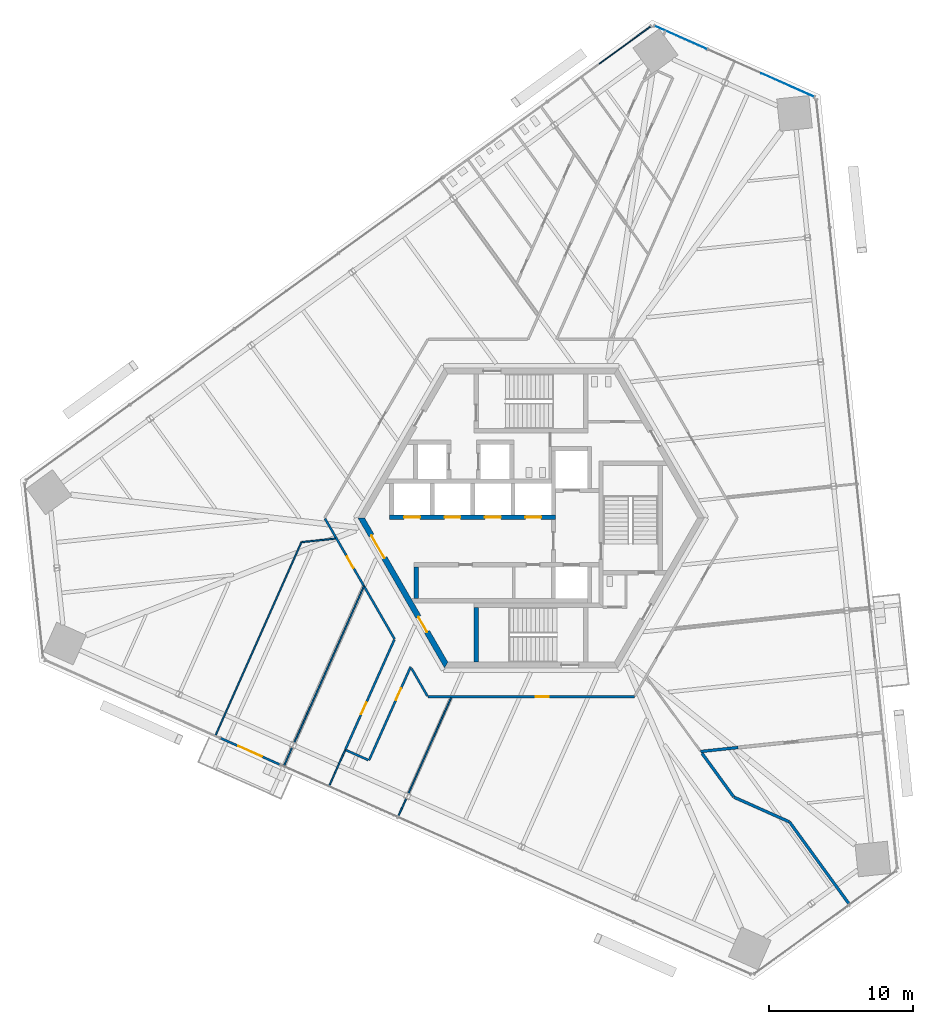
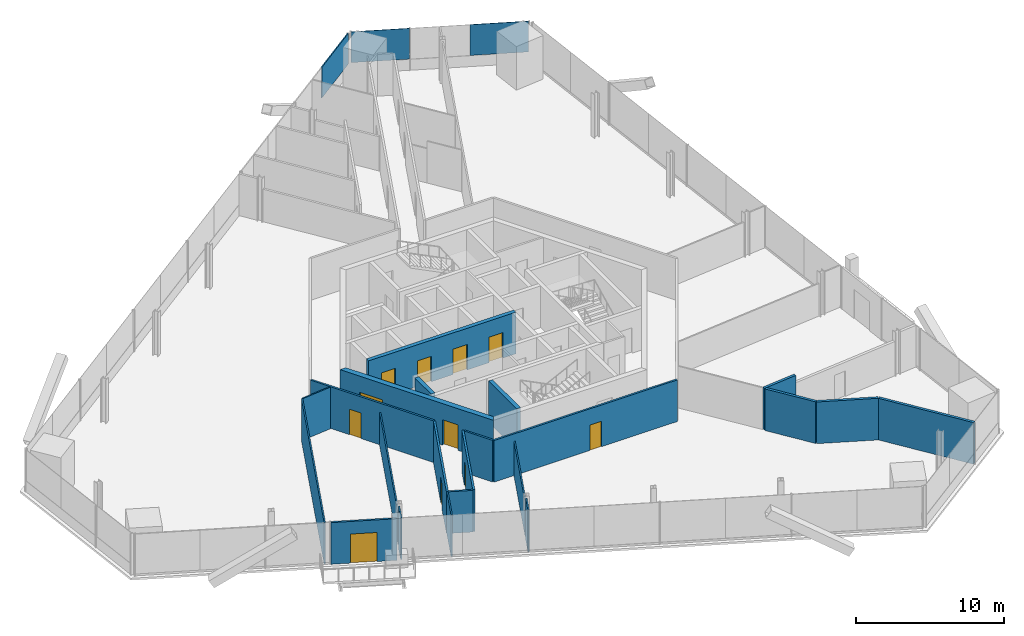
# One storey, part 10 of 17: 22 walls, 11 doors, 3 plates, 11 openings, 2 elements without a shape of their own.
"""IFC4 building model written with IfcOpenShell, lengths in metres."""

import ifcopenshell
import ifcopenshell.guid

model = None  # the IFC model being written
_history = None  # IfcOwnerHistory: only IFC2X3 demands one
_inside = {}  # id of a spatial element -> (the spatial element, [elements in it])
_under = {}  # id of a project, library or spatial element -> (it, [spatial elements below it])
_declared = {}  # id of a project -> (the project, [libraries it declares])
_typed = {}  # id of a type object -> (the type object, [elements of that type])
_made_of = {}  # id of a material, layer set ... -> (it, [elements and type objects made of it])


def new_model(schema):
    """Start an empty IFC model of exactly this schema.

    Asked for "IFC4X3", IfcOpenShell would pick the latest addendum, in which some entities
    have other attributes; the version numbers below select the first issue.
    IFC2X3 requires an IfcOwnerHistory on every rooted entity: one is made here for all.
    """
    global model, _history
    if schema == "IFC4X3":
        model = ifcopenshell.file(schema_version=(4, 3, 0, 0))
    else:
        model = ifcopenshell.file(schema=schema)
    _inside.clear()
    _under.clear()
    _declared.clear()
    _typed.clear()
    _made_of.clear()
    _history = None
    if model.schema == "IFC2X3":
        org = make("IfcOrganization", Name="unknown")
        user = make(
            "IfcPersonAndOrganization",
            ThePerson=make("IfcPerson", FamilyName="unknown"),
            TheOrganization=org,
        )
        app = make(
            "IfcApplication",
            ApplicationDeveloper=org,
            Version="unknown",
            ApplicationFullName="unknown",
            ApplicationIdentifier="unknown",
        )
        _history = make(
            "IfcOwnerHistory",
            OwningUser=user,
            OwningApplication=app,
            ChangeAction="ADDED",
            CreationDate=0,
        )
    return model


def make(cls, **values):
    """One entity of the class cls with the attributes given. An attribute that is None is left unset."""
    return model.create_entity(
        cls, **{name: value for name, value in values.items() if value is not None}
    )


def rooted(cls, **values):
    """An entity with a GlobalId (a new one), such as an element, a storey or a relation."""
    return make(cls, GlobalId=ifcopenshell.guid.new(), OwnerHistory=_history, **values)


def si_unit(unit_type, name, prefix=None):
    """IfcSIUnit, for example si_unit("LENGTHUNIT", "METRE", prefix="MILLI")."""
    return make("IfcSIUnit", UnitType=unit_type, Prefix=prefix, Name=name)


def assignment(units):
    """IfcUnitAssignment: the units of a project."""
    return None if units is None else make("IfcUnitAssignment", Units=units)


def point(xyz):
    """IfcCartesianPoint."""
    return None if xyz is None else make("IfcCartesianPoint", Coordinates=xyz)


def direction(xyz):
    """IfcDirection."""
    return None if xyz is None else make("IfcDirection", DirectionRatios=xyz)


def frame(location, z_axis=None, x_axis=None):
    """IfcAxis2Placement3D, a coordinate frame: its origin and axes. An axis left out is left unset."""
    return make(
        "IfcAxis2Placement3D",
        Location=point(location),
        Axis=direction(z_axis),
        RefDirection=direction(x_axis),
    )


def frame_2d(location, x_axis=None):
    """IfcAxis2Placement2D, a coordinate frame in the plane: its origin and x axis."""
    return make(
        "IfcAxis2Placement2D", Location=point(location), RefDirection=direction(x_axis)
    )


def origin():
    """The frame at (0, 0, 0) with its axes left unset."""
    return frame((0.0, 0.0, 0.0))


def origin_2d():
    """The frame at (0, 0) in the plane with its x axis left unset."""
    return frame_2d((0.0, 0.0))


def place(relative_to, where):
    """IfcLocalPlacement: puts the frame where relative to a parent placement (None: the world)."""
    return make(
        "IfcLocalPlacement", PlacementRelTo=relative_to, RelativePlacement=where
    )


def context(
    kind, dimensions, precision=None, world=None, true_north=None, identifier=None
):
    """IfcGeometricRepresentationContext, for example the 3D "Model" context."""
    return make(
        "IfcGeometricRepresentationContext",
        ContextIdentifier=identifier,
        ContextType=kind,
        CoordinateSpaceDimension=dimensions,
        Precision=precision,
        WorldCoordinateSystem=world,
        TrueNorth=true_north,
    )


def subcontext(parent, identifier, kind, view, scale=None):
    """IfcGeometricRepresentationSubContext, for example "Body" below "Model"."""
    return make(
        "IfcGeometricRepresentationSubContext",
        ContextIdentifier=identifier,
        ContextType=kind,
        ParentContext=parent,
        TargetScale=scale,
        TargetView=view,
    )


def project(units=None, contexts=None):
    """IfcProject with its units and contexts."""
    return rooted(
        "IfcProject",
        Name="project",
        RepresentationContexts=contexts,
        UnitsInContext=assignment(units),
    )


def spatial(cls, under=None, at=None, **own):
    """A site, building, storey or space (cls), placed at a placement, below another one or the project."""
    s = rooted(cls, ObjectPlacement=at, **own)
    if under is not None:
        _under.setdefault(under.id(), (under, []))[1].append(s)
    return s


def polyline(points):
    """IfcPolyline through the points."""
    return make("IfcPolyline", Points=[point(p) for p in points])


def profile(cls, at=None, kind="AREA", **sizes):
    """A parametric profile (cls). Its sizes go by their IFC names, for example OverallWidth=200.0."""
    return make(cls, ProfileType=kind, Position=at, **sizes)


def rectangle(**sizes):
    """IfcRectangleProfileDef."""
    return profile("IfcRectangleProfileDef", **sizes)


def outline(outer, holes=None, kind="AREA"):
    """IfcArbitraryClosedProfileDef: a profile drawn as a closed curve; with holes, ...WithVoids."""
    if holes is None:
        return make("IfcArbitraryClosedProfileDef", ProfileType=kind, OuterCurve=outer)
    return make(
        "IfcArbitraryProfileDefWithVoids",
        ProfileType=kind,
        OuterCurve=outer,
        InnerCurves=holes,
    )


def extrude(swept, where, along, depth):
    """IfcExtrudedAreaSolid: the profile swept, set in the frame where, extruded along a direction by depth."""
    return make(
        "IfcExtrudedAreaSolid",
        SweptArea=swept,
        Position=where,
        ExtrudedDirection=direction(along),
        Depth=depth,
    )


def shape(context_of_items, identifier, shape_type, items):
    """IfcShapeRepresentation: the items that make up one representation, for example the "Body"."""
    return make(
        "IfcShapeRepresentation",
        ContextOfItems=context_of_items,
        RepresentationIdentifier=identifier,
        RepresentationType=shape_type,
        Items=items,
    )


def source(mapping_origin, context_of_items, identifier, shape_type, items):
    """IfcRepresentationMap: a shape defined once, which mapped items show again and again."""
    return make(
        "IfcRepresentationMap",
        MappingOrigin=mapping_origin,
        MappedRepresentation=shape(context_of_items, identifier, shape_type, items),
    )


def transform(
    local_origin,
    x_axis=None,
    y_axis=None,
    z_axis=None,
    scale=None,
    scale2=None,
    scale3=None,
    uniform=True,
):
    """IfcCartesianTransformationOperator3D, or its non-uniform kind. x_axis, y_axis, z_axis: its Axis1, 2, 3."""
    if uniform:
        return make(
            "IfcCartesianTransformationOperator3D",
            Axis1=direction(x_axis),
            Axis2=direction(y_axis),
            LocalOrigin=point(local_origin),
            Scale=scale,
            Axis3=direction(z_axis),
        )
    return make(
        "IfcCartesianTransformationOperator3DnonUniform",
        Axis1=direction(x_axis),
        Axis2=direction(y_axis),
        LocalOrigin=point(local_origin),
        Scale=scale,
        Axis3=direction(z_axis),
        Scale2=scale2,
        Scale3=scale3,
    )


def mapped(mapping_source, mapping_target):
    """IfcMappedItem: shows the shape of a source again, moved by a transform."""
    return make(
        "IfcMappedItem", MappingSource=mapping_source, MappingTarget=mapping_target
    )


def material(Name=None, Category=None):
    """IfcMaterial."""
    return make("IfcMaterial", Name=Name, Category=Category)


def layer(
    of_material, thickness, ventilated=None, Name=None, Category=None, Priority=None
):
    """IfcMaterialLayer: one layer of a wall or slab, of a material (None: an air gap)."""
    return make(
        "IfcMaterialLayer",
        Material=of_material,
        LayerThickness=thickness,
        IsVentilated=ventilated,
        Name=Name,
        Category=Category,
        Priority=Priority,
    )


def layer_set(layers, Name=None):
    """IfcMaterialLayerSet."""
    return make("IfcMaterialLayerSet", MaterialLayers=layers, LayerSetName=Name)


def made_of(thing, what):
    """Note that an element or type object is made of a material, layer set ...; save() writes the relation."""
    if what is not None:
        _made_of.setdefault(what.id(), (what, []))[1].append(thing)
    return thing


def type_object(cls, material=None, **own):
    """A type object (cls), such as IfcWallType, which elements share."""
    return made_of(rooted(cls, **own), material)


def element(
    cls,
    number,
    at=None,
    inside=None,
    cuts=None,
    type_object=None,
    material=None,
    context=None,
    identifier="Body",
    shape_type=None,
    held_by="IfcProductDefinitionShape",
    body=None,
    shapes=None,
    **own,
):
    """One element of the class cls, such as IfcWall. Its Tag is "e" and its number.

    at: its placement. inside: the storey or other place that contains it. cuts: it is an
    opening in that element (IfcRelVoidsElement). A single representation is given by context,
    identifier, shape_type and body (its items); several are given by shapes. held_by: the class
    of the entity that holds the representations. save() writes the other relations.
    """
    e = rooted(cls, Tag="e%d" % number, ObjectPlacement=at, **own)
    if body is not None:
        shapes = [shape(context, identifier, shape_type, body)]
    if shapes is not None:
        e.Representation = make(held_by, Representations=shapes)
    if inside is not None:
        _inside.setdefault(inside.id(), (inside, []))[1].append(e)
    if cuts is not None:
        rooted(
            "IfcRelVoidsElement", RelatingBuildingElement=cuts, RelatedOpeningElement=e
        )
    if type_object is not None:
        _typed.setdefault(type_object.id(), (type_object, []))[1].append(e)
    return made_of(e, material)


def fill(opening, filler):
    """IfcRelFillsElement: the door or window that sits in an opening."""
    return rooted(
        "IfcRelFillsElement",
        RelatingOpeningElement=opening,
        RelatedBuildingElement=filler,
    )


def aggregate(whole, parts):
    """IfcRelAggregates: a whole, such as a stair, and the parts it consists of."""
    return rooted("IfcRelAggregates", RelatingObject=whole, RelatedObjects=parts)


def save(model, path):
    """Write the relations noted so far, then the file.

    IfcRelAggregates (storeys below a building ...), IfcRelContainedInSpatialStructure (elements
    in a storey), IfcRelDefinesByType, IfcRelAssociatesMaterial and IfcRelDeclares: one each for
    every whole, place, type object, material and project.
    """
    for whole, parts in _under.values():
        aggregate(whole, parts)
    for where, things in _inside.values():
        rooted(
            "IfcRelContainedInSpatialStructure",
            RelatedElements=things,
            RelatingStructure=where,
        )
    for kind, things in _typed.values():
        rooted("IfcRelDefinesByType", RelatedObjects=things, RelatingType=kind)
    for what, things in _made_of.values():
        rooted("IfcRelAssociatesMaterial", RelatedObjects=things, RelatingMaterial=what)
    for by, libraries in _declared.values():
        rooted("IfcRelDeclares", RelatingContext=by, RelatedDefinitions=libraries)
    model.write(path)


model = new_model("IFC4")

# Units and contexts
model_context = context("Model", 3, precision=1e-05, world=origin(), true_north=direction((0.0, 1.0)))
body_context = subcontext(model_context, "Body", "Model", "MODEL_VIEW")
ifc_project = project(units=[si_unit("LENGTHUNIT", "METRE"), si_unit("AREAUNIT", "SQUARE_METRE"), si_unit("VOLUMEUNIT", "CUBIC_METRE"), si_unit("PLANEANGLEUNIT", "RADIAN"), si_unit("MASSUNIT", "GRAM", prefix="KILO")], contexts=[model_context])

# Site, building, storey
site_placement = place(None, origin())
site = spatial("IfcSite", under=ifc_project, at=site_placement, CompositionType="ELEMENT")
building_placement = place(site_placement, origin())
building = spatial("IfcBuilding", under=site, at=building_placement, Name="Triune Harvest Tower", CompositionType="ELEMENT")
storey_placement = place(building_placement, frame((0.0, 0.0, 62.10009765625)))
storey = spatial("IfcBuildingStorey", under=building, at=storey_placement, Name="L14", CompositionType="ELEMENT", Elevation=62.10009765625)

# Curtain wall, plates
ifc_material_1 = material(Name="Aluminium bronze anodised", Category="aluminium")
curtain_wall_type_1 = type_object("IfcCurtainWallType", Name="CW-1 Tower stick curtain wall", PredefinedType="NOTDEFINED", material=ifc_material_1)
curtain_wall_1_placement = place(storey_placement, origin())
curtain_wall_1 = element("IfcCurtainWall", 1, at=curtain_wall_1_placement, inside=storey, type_object=curtain_wall_type_1, Name="CW-1 B2-F2 L14 run 1")
ifc_material_2 = material(Name="Glass", Category="glass")
ifc_layer_1 = layer(ifc_material_2, 0.031982421875)
ifc_layer_set_1 = layer_set([ifc_layer_1], Name="Glass")
plate_type_1 = type_object("IfcPlateType", Name="GL-1 panel 32", PredefinedType="CURTAIN_PANEL", material=ifc_layer_set_1)
shared_shape_1 = source(origin(), body_context, "Body", "SweptSolid", [
    extrude(rectangle(XDim=3.99853515625, YDim=0.031982421875, at=origin_2d()), origin(), (0.0, 0.0, 1.0), 2.5400390625),
])
plate_1_placement = place(storey_placement, frame((17.783203125, 30.018798828125, 0.89990234375), z_axis=(0.0, 0.0, 1.0), x_axis=(-0.913546644034, 0.406733978386, 0.0)))
plate_1 = element("IfcPlate", 2, at=plate_1_placement, type_object=plate_type_1, Name="CW-1 panel B2-F2 1.1", PredefinedType="CURTAIN_PANEL", context=body_context, shape_type="MappedRepresentation", body=[
    mapped(shared_shape_1, transform((0.0, 0.0, 0.0), scale=1.0)),
])
shared_shape_2 = source(origin(), body_context, "Body", "SweptSolid", [
    extrude(rectangle(XDim=3.9609375, YDim=0.031982421875, at=origin_2d()), origin(), (0.0, 0.0, 1.0), 2.5400390625),
])
plate_2_placement = place(storey_placement, frame((10.39208984375, 33.3095703125, 0.89990234375), z_axis=(0.0, 0.0, 1.0), x_axis=(-0.913546644034, 0.406733978386, 0.0)))
plate_2 = element("IfcPlate", 3, at=plate_2_placement, type_object=plate_type_1, Name="CW-1 panel B2-F2 1.3", PredefinedType="CURTAIN_PANEL", context=body_context, shape_type="MappedRepresentation", body=[
    mapped(shared_shape_2, transform((0.0, 0.0, 0.0), scale=1.0)),
])
aggregate(curtain_wall_1, [plate_1, plate_2])

# Curtain wall, plate
ifc_material_3 = material(Name="Aluminium bronze anodised", Category="aluminium")
curtain_wall_type_2 = type_object("IfcCurtainWallType", Name="CW-7 Tower stick curtain wall with insulated spandrel infill", PredefinedType="NOTDEFINED", material=ifc_material_3)
curtain_wall_2_placement = place(storey_placement, origin())
curtain_wall_2 = element("IfcCurtainWall", 4, at=curtain_wall_2_placement, inside=storey, type_object=curtain_wall_type_2, Name="CW-7 B2-F3 L14 run 1")
ifc_material_4 = material(Name="Insulated spandrel panel, bronze aluminium pan", Category="aluminium")
ifc_layer_2 = layer(ifc_material_4, 0.080078125)
ifc_layer_set_2 = layer_set([ifc_layer_2], Name="Insulated spandrel panel, bronze aluminium pan")
plate_type_2 = type_object("IfcPlateType", Name="SP-1 insulated spandrel panel 80", PredefinedType="CURTAIN_PANEL", material=ifc_layer_set_2)
shared_shape_3 = source(origin(), body_context, "Body", "SweptSolid", [
    extrude(rectangle(XDim=4.3955078125, YDim=0.080078125, at=origin_2d()), origin(), (0.0, 0.0, 1.0), 2.5400390625),
])
plate_3_placement = place(storey_placement, frame((6.5205078125, 32.79345703125, 0.89990234375), z_axis=(0.0, 0.0, 1.0), x_axis=(-0.809018475536, -0.587783213644, 0.0)))
plate_3 = element("IfcPlate", 5, at=plate_3_placement, type_object=plate_type_2, Name="CW-7 panel B2-F3 1.1", PredefinedType="CURTAIN_PANEL", context=body_context, shape_type="MappedRepresentation", body=[
    mapped(shared_shape_3, transform((0.0, 0.0, 0.0), scale=1.0)),
])
aggregate(curtain_wall_2, [plate_3])

# Walls
ifc_material_5 = material(Name="Gypsum board on steel studs", Category="steel")
ifc_layer_3 = layer(ifc_material_5, 0.199951171875)
ifc_layer_set_3 = layer_set([ifc_layer_3], Name="Gypsum board on steel studs")
wall_type_1 = type_object("IfcWallType", Name="Fire Wall 200 mm", PredefinedType="PARTITIONING", material=ifc_layer_set_3)
wall_1_placement = place(storey_placement, frame((17.912353515625, -21.065673828125, 0.0), z_axis=(0.0, 0.0, 1.0), x_axis=(0.587780323466, -0.809020575354, 0.0)))
element("IfcWall", 6, at=wall_1_placement, inside=storey, type_object=wall_type_1, Name="Partition L14 006", PredefinedType="PARTITIONING", context=body_context, shape_type="SweptSolid", body=[
    extrude(rectangle(XDim=7.085693359375, YDim=0.199951171875, at=frame_2d((3.54296875, 0.0))), origin(), (0.0, 0.0, 1.0), 3.43994140625),
])
wall_2_placement = place(storey_placement, frame((14.05859375, -19.349853515625, 0.0), z_axis=(0.0, 0.0, 1.0), x_axis=(0.913546956055, -0.40673327757, 0.0)))
element("IfcWall", 7, at=wall_2_placement, inside=storey, type_object=wall_type_1, Name="Partition L14 017", PredefinedType="PARTITIONING", context=body_context, shape_type="SweptSolid", body=[
    extrude(rectangle(XDim=4.1884765625, YDim=0.199951171875, at=frame_2d((2.09423828125, 0.0))), origin(), (0.0, 0.0, 1.0), 3.43994140625),
])
ifc_material_6 = material(Name="Gypsum board on steel studs", Category="steel")
ifc_layer_4 = layer(ifc_material_6, 0.10009765625)
ifc_layer_set_4 = layer_set([ifc_layer_4], Name="Gypsum board on steel studs")
wall_type_2 = type_object("IfcWallType", Name="Partition 100 mm", PredefinedType="PARTITIONING", material=ifc_layer_set_4)
wall_3_placement = place(storey_placement, frame((-15.89599609375, -1.670654296875, 0.0), z_axis=(0.0, 0.0, 1.0), x_axis=(0.994524314747, 0.10450544185, 0.0)))
element("IfcWall", 8, at=wall_3_placement, inside=storey, type_object=wall_type_2, Name="Partition L14 026", PredefinedType="PARTITIONING", context=body_context, shape_type="SweptSolid", body=[
    extrude(rectangle(XDim=2.33837890625, YDim=0.10009765625, at=frame_2d((1.169189453125, 0.0))), origin(), (0.0, 0.0, 1.0), 3.43994140625),
])
wall_4_placement = place(storey_placement, frame((-16.41650390625, -15.5751953125, 0.0), z_axis=(0.0, 0.0, 1.0), x_axis=(0.406746552883, 0.913541045448, 0.0)))
element("IfcWall", 9, at=wall_4_placement, inside=storey, type_object=wall_type_2, Name="Partition L14 045", PredefinedType="PARTITIONING", context=body_context, shape_type="SweptSolid", body=[
    extrude(rectangle(XDim=11.881591796875, YDim=0.10009765625, at=frame_2d((5.94091796875, 0.0))), origin(), (0.0, 0.0, 1.0), 2.682861328125),
])
wall_5_placement = place(storey_placement, frame((-21.893310546875, -15.098388671875, 0.0), z_axis=(0.0, 0.0, 1.0), x_axis=(0.406728731575, 0.913548980029, 0.0)))
element("IfcWall", 10, at=wall_5_placement, inside=storey, type_object=wall_type_2, Name="Partition L14 046", PredefinedType="PARTITIONING", context=body_context, shape_type="SweptSolid", body=[
    extrude(rectangle(XDim=14.696044921875, YDim=0.10009765625, at=frame_2d((7.34814453125, 0.0))), origin(), (0.0, 0.0, 1.0), 3.43994140625),
])

# Wall, openings, doors
ifc_material_7 = material(Name="Concrete 70 MPa", Category="concrete")
ifc_layer_5 = layer(ifc_material_7, 0.39990234375)
ifc_layer_set_5 = layer_set([ifc_layer_5], Name="Concrete 70 MPa")
wall_type_3 = type_object("IfcWallType", Name="Core wall 400", PredefinedType="SHEAR", material=ifc_layer_set_5)
shared_shape_4 = source(origin(), body_context, "Body", "SweptSolid", [
    extrude(outline(polyline([(-0.115478515625, -0.199951171875), (11.884521484375, -0.199951171875), (11.653564453125, 0.199951171875), (0.115478515625, 0.199951171875), (-0.115478515625, -0.199951171875)])), origin(), (0.0, 0.0, 1.0), 3.43994140625),
])
wall_6_placement = place(storey_placement, frame((-11.76904296875, 0.0, 0.0), z_axis=(0.0, 0.0, 1.0), x_axis=(0.499996592174, -0.866027371285, 0.0)))
wall_6 = element("IfcWall", 11, at=wall_6_placement, inside=storey, type_object=wall_type_3, Name="Hexagon 3 wall", PredefinedType="SHEAR", context=body_context, shape_type="MappedRepresentation", body=[
    mapped(shared_shape_4, transform((0.0, 0.0, 0.0), scale=1.0)),
])
opening_1_placement = place(wall_6_placement, frame((1.404541015625, 0.0, 0.0)))
opening_1 = element("IfcOpeningElement", 12, at=opening_1_placement, cuts=wall_6, Name="Opening CD-LS", PredefinedType="OPENING", context=body_context, shape_type="SweptSolid", body=[
    extrude(rectangle(XDim=1.800048828125, YDim=2.10009765625, at=frame_2d((0.89990234375, 1.050048828125))), frame((0.0, 0.2099609375, 0.0), z_axis=(0.0, -1.0, 0.0), x_axis=(1.0, 0.0, 0.0)), (0.0, 0.0, 1.0), 0.419921875),
])
opening_2_placement = place(wall_6_placement, frame((7.91455078125, 0.0, 0.0)))
opening_2 = element("IfcOpeningElement", 13, at=opening_2_placement, cuts=wall_6, Name="Opening CD-SWP", PredefinedType="OPENING", context=body_context, shape_type="SweptSolid", body=[
    extrude(rectangle(XDim=1.199951171875, YDim=2.10009765625, at=frame_2d((0.60009765625, 1.050048828125))), frame((0.0, 0.2099609375, 0.0), z_axis=(0.0, -1.0, 0.0), x_axis=(1.0, 0.0, 0.0)), (0.0, 0.0, 1.0), 0.419921875),
])
ifc_material_8 = material(Name="Steel S235", Category="steel")
door_type_1 = type_object("IfcDoorType", Name="Lobby door 1800 FD120", OperationType="DOUBLE_DOOR_DOUBLE_SWING", PredefinedType="DOOR", material=ifc_material_8)
door_1_placement = place(opening_1_placement, frame((1.800048828125, 0.0, 0.0), z_axis=(0.0, 0.0, 1.0), x_axis=(-1.0, 0.0, 0.0)))
door_1 = element("IfcDoor", 14, at=door_1_placement, inside=storey, type_object=door_type_1, Name="Door CD-LS", OperationType="DOUBLE_DOOR_DOUBLE_SWING", OverallHeight=2.10009765625, OverallWidth=1.800048828125, PredefinedType="DOOR", context=body_context, shape_type="SweptSolid", body=[
    extrude(rectangle(XDim=1.800048828125, YDim=2.10009765625, at=frame_2d((0.89990234375, 1.050048828125))), frame((0.0, 0.02490234375, 0.0), z_axis=(0.0, -1.0, 0.0), x_axis=(1.0, 0.0, 0.0)), (0.0, 0.0, 1.0), 0.050048828125),
])
fill(opening_1, door_1)
ifc_material_9 = material(Name="Steel S235", Category="steel")
door_type_2 = type_object("IfcDoorType", Name="Service door 1200 FD120", OperationType="SINGLE_SWING_LEFT", PredefinedType="DOOR", material=ifc_material_9)
door_2_placement = place(opening_2_placement, frame((1.199951171875, 0.0, 0.0), z_axis=(0.0, 0.0, 1.0), x_axis=(-1.0, 0.0, 0.0)))
door_2 = element("IfcDoor", 15, at=door_2_placement, inside=storey, type_object=door_type_2, Name="Door CD-SWP", OperationType="SINGLE_SWING_RIGHT", OverallHeight=2.10009765625, OverallWidth=1.199951171875, PredefinedType="DOOR", context=body_context, shape_type="SweptSolid", body=[
    extrude(rectangle(XDim=1.199951171875, YDim=2.10009765625, at=frame_2d((0.60009765625, 1.050048828125))), frame((0.0, 0.02490234375, 0.0), z_axis=(0.0, -1.0, 0.0), x_axis=(1.0, 0.0, 0.0)), (0.0, 0.0, 1.0), 0.050048828125),
])
fill(opening_2, door_2)

ifc_material_10 = material(Name="Concrete 70 MPa", Category="concrete")
ifc_layer_6 = layer(ifc_material_10, 0.300048828125)
ifc_layer_set_6 = layer_set([ifc_layer_6], Name="Concrete 70 MPa")
wall_type_4 = type_object("IfcWallType", Name="Core wall 300", PredefinedType="SHEAR", material=ifc_layer_set_6)
shared_shape_5 = source(origin(), body_context, "Body", "SweptSolid", [
    extrude(rectangle(XDim=11.5, YDim=0.300048828125, at=frame_2d((5.75, 0.0))), origin(), (0.0, 0.0, 1.0), 3.43994140625),
])
wall_7_placement = place(storey_placement, frame((-9.800048828125, 0.06005859375, 0.0), z_axis=(0.0, 0.0, 1.0), x_axis=(1.0, 0.0, 0.0)))
wall_7 = element("IfcWall", 16, at=wall_7_placement, inside=storey, type_object=wall_type_4, Name="North front wall", PredefinedType="SHEAR", context=body_context, shape_type="MappedRepresentation", body=[
    mapped(shared_shape_5, transform((0.0, 0.0, 0.0), scale=1.0)),
])
opening_3_placement = place(wall_7_placement, frame((1.0, 0.0, 0.0)))
opening_3 = element("IfcOpeningElement", 17, at=opening_3_placement, cuts=wall_7, Name="Opening LD-LR1-14", PredefinedType="OPENING", context=body_context, shape_type="SweptSolid", body=[
    extrude(rectangle(XDim=1.10009765625, YDim=2.10009765625, at=frame_2d((0.550048828125, 1.050048828125))), frame((0.0, 0.16015625, 0.0), z_axis=(0.0, -1.0, 0.0), x_axis=(1.0, 0.0, 0.0)), (0.0, 0.0, 1.0), 0.320068359375),
])
opening_4_placement = place(wall_7_placement, frame((3.800048828125, 0.0, 0.0)))
opening_4 = element("IfcOpeningElement", 18, at=opening_4_placement, cuts=wall_7, Name="Opening LD-LR2-14", PredefinedType="OPENING", context=body_context, shape_type="SweptSolid", body=[
    extrude(rectangle(XDim=1.10009765625, YDim=2.10009765625, at=frame_2d((0.550048828125, 1.050048828125))), frame((0.0, 0.16015625, 0.0), z_axis=(0.0, -1.0, 0.0), x_axis=(1.0, 0.0, 0.0)), (0.0, 0.0, 1.0), 0.320068359375),
])
opening_5_placement = place(wall_7_placement, frame((6.60009765625, 0.0, 0.0)))
opening_5 = element("IfcOpeningElement", 19, at=opening_5_placement, cuts=wall_7, Name="Opening LD-LR3-14", PredefinedType="OPENING", context=body_context, shape_type="SweptSolid", body=[
    extrude(rectangle(XDim=1.10009765625, YDim=2.10009765625, at=frame_2d((0.550048828125, 1.050048828125))), frame((0.0, 0.16015625, 0.0), z_axis=(0.0, -1.0, 0.0), x_axis=(1.0, 0.0, 0.0)), (0.0, 0.0, 1.0), 0.320068359375),
])
opening_6_placement = place(wall_7_placement, frame((9.39990234375, 0.0, 0.0)))
opening_6 = element("IfcOpeningElement", 20, at=opening_6_placement, cuts=wall_7, Name="Opening LD-LR4-14", PredefinedType="OPENING", context=body_context, shape_type="SweptSolid", body=[
    extrude(rectangle(XDim=1.10009765625, YDim=2.10009765625, at=frame_2d((0.550048828125, 1.050048828125))), frame((0.0, 0.16015625, 0.0), z_axis=(0.0, -1.0, 0.0), x_axis=(1.0, 0.0, 0.0)), (0.0, 0.0, 1.0), 0.320068359375),
])
ifc_material_11 = material(Name="Stainless steel AISI 304", Category="steel")
door_type_3 = type_object("IfcDoorType", Name="Landing door 1100 x 2100", OperationType="DOUBLE_DOOR_SLIDING", PredefinedType="DOOR", material=ifc_material_11)
door_3_placement = place(opening_3_placement, origin())
door_3 = element("IfcDoor", 21, at=door_3_placement, inside=storey, type_object=door_type_3, Name="Door LD-LR1-14", OperationType="DOUBLE_DOOR_SLIDING", OverallHeight=2.10009765625, OverallWidth=1.10009765625, PredefinedType="DOOR", context=body_context, shape_type="SweptSolid", body=[
    extrude(rectangle(XDim=1.10009765625, YDim=2.10009765625, at=frame_2d((0.550048828125, 1.050048828125))), frame((0.0, 0.02490234375, 0.0), z_axis=(0.0, -1.0, 0.0), x_axis=(1.0, 0.0, 0.0)), (0.0, 0.0, 1.0), 0.050048828125),
])
fill(opening_3, door_3)
door_4_placement = place(opening_4_placement, origin())
door_4 = element("IfcDoor", 22, at=door_4_placement, inside=storey, type_object=door_type_3, Name="Door LD-LR2-14", OperationType="DOUBLE_DOOR_SLIDING", OverallHeight=2.10009765625, OverallWidth=1.10009765625, PredefinedType="DOOR", context=body_context, shape_type="SweptSolid", body=[
    extrude(rectangle(XDim=1.10009765625, YDim=2.10009765625, at=frame_2d((0.550048828125, 1.050048828125))), frame((0.0, 0.02490234375, 0.0), z_axis=(0.0, -1.0, 0.0), x_axis=(1.0, 0.0, 0.0)), (0.0, 0.0, 1.0), 0.050048828125),
])
fill(opening_4, door_4)
door_5_placement = place(opening_5_placement, origin())
door_5 = element("IfcDoor", 23, at=door_5_placement, inside=storey, type_object=door_type_3, Name="Door LD-LR3-14", OperationType="DOUBLE_DOOR_SLIDING", OverallHeight=2.10009765625, OverallWidth=1.10009765625, PredefinedType="DOOR", context=body_context, shape_type="SweptSolid", body=[
    extrude(rectangle(XDim=1.10009765625, YDim=2.10009765625, at=frame_2d((0.550048828125, 1.050048828125))), frame((0.0, 0.02490234375, 0.0), z_axis=(0.0, -1.0, 0.0), x_axis=(1.0, 0.0, 0.0)), (0.0, 0.0, 1.0), 0.050048828125),
])
fill(opening_5, door_5)
door_6_placement = place(opening_6_placement, origin())
door_6 = element("IfcDoor", 24, at=door_6_placement, inside=storey, type_object=door_type_3, Name="Door LD-LR4-14", OperationType="DOUBLE_DOOR_SLIDING", OverallHeight=2.10009765625, OverallWidth=1.10009765625, PredefinedType="DOOR", context=body_context, shape_type="SweptSolid", body=[
    extrude(rectangle(XDim=1.10009765625, YDim=2.10009765625, at=frame_2d((0.550048828125, 1.050048828125))), frame((0.0, 0.02490234375, 0.0), z_axis=(0.0, -1.0, 0.0), x_axis=(1.0, 0.0, 0.0)), (0.0, 0.0, 1.0), 0.050048828125),
])
fill(opening_6, door_6)

# Walls
shared_shape_6 = source(origin(), body_context, "Body", "SweptSolid", [
    extrude(rectangle(XDim=2.2001953125, YDim=0.300048828125, at=frame_2d((1.10009765625, 0.0))), origin(), (0.0, 0.0, 1.0), 3.43994140625),
])
wall_8_placement = place(storey_placement, frame((-7.949951171875, -5.590087890625, 0.0), z_axis=(0.0, 0.0, 1.0), x_axis=(0.0, 1.0, 0.0)))
element("IfcWall", 25, at=wall_8_placement, inside=storey, type_object=wall_type_4, Name="South end west wall", PredefinedType="SHEAR", context=body_context, shape_type="MappedRepresentation", body=[
    mapped(shared_shape_6, transform((0.0, 0.0, 0.0), scale=1.0)),
])
shared_shape_7 = source(origin(), body_context, "Body", "SweptSolid", [
    extrude(outline(polyline([(3.800048828125, -0.14990234375), (-0.00439453125, -0.14990234375), (-0.00439453125, 0.14990234375), (3.800048828125, 0.14990234375), (3.800048828125, -0.14990234375)])), origin(), (0.0, 0.0, 1.0), 3.43994140625),
])
wall_9_placement = place(storey_placement, frame((-3.800048828125, -9.989990234375, 0.0), z_axis=(0.0, 0.0, 1.0), x_axis=(0.0, 1.0, 0.0)))
element("IfcWall", 26, at=wall_9_placement, inside=storey, type_object=wall_type_4, Name="Stair s west wall", PredefinedType="SHEAR", context=body_context, shape_type="MappedRepresentation", body=[
    mapped(shared_shape_7, transform((0.0, 0.0, 0.0), scale=1.0)),
])

# Wall, opening, door
ifc_material_12 = material(Name="Aluminium bronze anodised", Category="aluminium")
ifc_layer_7 = layer(ifc_material_12, 0.14990234375)
ifc_layer_set_7 = layer_set([ifc_layer_7], Name="Aluminium bronze anodised")
wall_type_5 = type_object("IfcWallType", Name="WW-2 balcony window wall", PredefinedType="ELEMENTEDWALL", material=ifc_layer_set_7)
shared_shape_8 = source(origin(), body_context, "Body", "SweptSolid", [
    extrude(rectangle(XDim=4.485595703125, YDim=0.14990234375, at=frame_2d((2.24267578125, 0.0))), origin(), (0.0, 0.0, 1.0), 3.43994140625),
])
wall_10_placement = place(storey_placement, frame((-17.427490234375, -17.086669921875, 0.0), z_axis=(0.0, 0.0, 1.0), x_axis=(-0.91354876379, 0.406729217266, 0.0)))
wall_10 = element("IfcWall", 27, at=wall_10_placement, inside=storey, type_object=wall_type_5, Name="WW-2 B2-F5 L14.4", PredefinedType="ELEMENTEDWALL", context=body_context, shape_type="MappedRepresentation", body=[
    mapped(shared_shape_8, transform((0.0, 0.0, 0.0), scale=1.0)),
])
opening_7_placement = place(wall_10_placement, frame((1.3427734375, 0.0, 0.0)))
opening_7 = element("IfcOpeningElement", 28, at=opening_7_placement, cuts=wall_10, Name="Opening L14-E02", PredefinedType="OPENING", context=body_context, shape_type="SweptSolid", body=[
    extrude(rectangle(XDim=1.800048828125, YDim=2.39990234375, at=frame_2d((0.89990234375, 1.199951171875))), frame((0.0, 0.0849609375, 0.0), z_axis=(0.0, -1.0, 0.0), x_axis=(1.0, 0.0, 0.0)), (0.0, 0.0, 1.0), 0.169921875),
])
ifc_material_13 = material(Name="Glass", Category="glass")
door_type_4 = type_object("IfcDoorType", Name="DB-1 balcony door 1800 x 2400", OperationType="DOUBLE_DOOR_SINGLE_SWING", PredefinedType="DOOR", material=ifc_material_13)
door_7_placement = place(opening_7_placement, origin())
door_7 = element("IfcDoor", 29, at=door_7_placement, inside=storey, type_object=door_type_4, Name="Door L14-E02", OperationType="DOUBLE_DOOR_SINGLE_SWING", OverallHeight=2.39990234375, OverallWidth=1.800048828125, PredefinedType="DOOR", context=body_context, shape_type="SweptSolid", body=[
    extrude(rectangle(XDim=1.800048828125, YDim=2.39990234375, at=frame_2d((0.89990234375, 1.199951171875))), frame((0.0, 0.02490234375, 0.0), z_axis=(0.0, -1.0, 0.0), x_axis=(1.0, 0.0, 0.0)), (0.0, 0.0, 1.0), 0.050048828125),
])
fill(opening_7, door_7)

ifc_material_14 = material(Name="Gypsum board on steel studs", Category="steel")
ifc_layer_8 = layer(ifc_material_14, 0.14990234375)
ifc_layer_set_8 = layer_set([ifc_layer_8], Name="Gypsum board on steel studs")
wall_type_6 = type_object("IfcWallType", Name="Fire Partition 150 mm", PredefinedType="PARTITIONING", material=ifc_layer_set_8)
shared_shape_9 = source(origin(), body_context, "Body", "SweptSolid", [
    extrude(rectangle(XDim=9.642578125, YDim=0.14990234375, at=frame_2d((4.8212890625, 0.0))), origin(), (0.0, 0.0, 1.0), 3.43994140625),
])
wall_11_placement = place(storey_placement, frame((-14.284423828125, -0.04296875, 0.0), z_axis=(0.0, 0.0, 1.0), x_axis=(0.499994949703, -0.866028319555, 0.0)))
wall_11 = element("IfcWall", 30, at=wall_11_placement, inside=storey, type_object=wall_type_6, Name="Partition L14 001", PredefinedType="PARTITIONING", context=body_context, shape_type="MappedRepresentation", body=[
    mapped(shared_shape_9, transform((0.0, 0.0, 0.0), scale=1.0)),
])
opening_8_placement = place(wall_11_placement, frame((3.03759765625, 0.0, 0.0)))
opening_8 = element("IfcOpeningElement", 31, at=opening_8_placement, cuts=wall_11, Name="Opening L14-015", PredefinedType="OPENING", context=body_context, shape_type="SweptSolid", body=[
    extrude(rectangle(XDim=0.89990234375, YDim=2.10009765625, at=frame_2d((0.449951171875, 1.050048828125))), frame((0.0, 0.0849609375, 0.0), z_axis=(0.0, -1.0, 0.0), x_axis=(1.0, 0.0, 0.0)), (0.0, 0.0, 1.0), 0.169921875),
])
ifc_material_15 = material(Name="Timber and steel door set", Category="steel")
door_type_5 = type_object("IfcDoorType", Name="Single leaf door FD30 right hand 900 x 2100", OperationType="SINGLE_SWING_RIGHT", PredefinedType="DOOR", material=ifc_material_15)
door_8_placement = place(opening_8_placement, origin())
door_8 = element("IfcDoor", 32, at=door_8_placement, inside=storey, type_object=door_type_5, Name="Door L14-015 Open Office 14.15", OperationType="SINGLE_SWING_RIGHT", OverallHeight=2.10009765625, OverallWidth=0.89990234375, PredefinedType="DOOR", context=body_context, shape_type="SweptSolid", body=[
    extrude(rectangle(XDim=0.89990234375, YDim=2.10009765625, at=frame_2d((0.449951171875, 1.050048828125))), frame((0.0, 0.02490234375, 0.0), z_axis=(0.0, -1.0, 0.0), x_axis=(1.0, 0.0, 0.0)), (0.0, 0.0, 1.0), 0.050048828125),
])
fill(opening_8, door_8)

# Walls
shared_shape_10 = source(origin(), body_context, "Body", "SweptSolid", [
    extrude(rectangle(XDim=2.222412109375, YDim=0.14990234375, at=frame_2d((1.111328125, 0.0))), origin(), (0.0, 0.0, 1.0), 3.43994140625),
])
wall_12_placement = place(storey_placement, frame((-8.290771484375, -10.424560546875, 0.0), z_axis=(0.0, 0.0, 1.0), x_axis=(0.50006161342, -0.865989828337, 0.0)))
element("IfcWall", 33, at=wall_12_placement, inside=storey, type_object=wall_type_6, Name="Partition L14 002", PredefinedType="PARTITIONING", context=body_context, shape_type="MappedRepresentation", body=[
    mapped(shared_shape_10, transform((0.0, 0.0, 0.0), scale=1.0)),
])
shared_shape_11 = source(origin(), body_context, "Body", "SweptSolid", [
    extrude(rectangle(XDim=3.733154296875, YDim=0.199951171875, at=frame_2d((1.86669921875, 0.0))), origin(), (0.0, 0.0, 1.0), 3.43994140625),
])
wall_13_placement = place(storey_placement, frame((11.8466796875, -16.305419921875, 0.0), z_axis=(0.0, 0.0, 1.0), x_axis=(0.587782786269, -0.80901878604, 0.0)))
element("IfcWall", 34, at=wall_13_placement, inside=storey, type_object=wall_type_1, Name="Partition L14 005", PredefinedType="PARTITIONING", context=body_context, shape_type="MappedRepresentation", body=[
    mapped(shared_shape_11, transform((0.0, 0.0, 0.0), scale=1.0)),
])

# Wall, opening, door
shared_shape_12 = source(origin(), body_context, "Body", "SweptSolid", [
    extrude(rectangle(XDim=14.3095703125, YDim=0.14990234375, at=frame_2d((7.15478515625, 0.0))), origin(), (0.0, 0.0, 1.0), 3.43994140625),
])
wall_14_placement = place(storey_placement, frame((-7.15478515625, -12.392333984375, 0.0), z_axis=(0.0, 0.0, 1.0), x_axis=(1.0, 0.0, 0.0)))
wall_14 = element("IfcWall", 35, at=wall_14_placement, inside=storey, type_object=wall_type_6, Name="Partition L14 019", PredefinedType="PARTITIONING", context=body_context, shape_type="MappedRepresentation", body=[
    mapped(shared_shape_12, transform((0.0, 0.0, 0.0), scale=1.0)),
])
opening_9_placement = place(wall_14_placement, frame((7.4873046875, 0.0, 0.0)))
opening_9 = element("IfcOpeningElement", 36, at=opening_9_placement, cuts=wall_14, Name="Opening L14-018", PredefinedType="OPENING", context=body_context, shape_type="SweptSolid", body=[
    extrude(rectangle(XDim=0.89990234375, YDim=2.10009765625, at=frame_2d((0.449951171875, 1.050048828125))), frame((0.0, 0.0849609375, 0.0), z_axis=(0.0, -1.0, 0.0), x_axis=(1.0, 0.0, 0.0)), (0.0, 0.0, 1.0), 0.169921875),
])
ifc_material_16 = material(Name="Timber and steel door set", Category="steel")
door_type_6 = type_object("IfcDoorType", Name="Single leaf door FD30 left hand 900 x 2100", OperationType="SINGLE_SWING_LEFT", PredefinedType="DOOR", material=ifc_material_16)
door_9_placement = place(opening_9_placement, origin())
door_9 = element("IfcDoor", 37, at=door_9_placement, inside=storey, type_object=door_type_6, Name="Door L14-018 Food Laboratory 14.18", OperationType="SINGLE_SWING_LEFT", OverallHeight=2.10009765625, OverallWidth=0.89990234375, PredefinedType="DOOR", context=body_context, shape_type="SweptSolid", body=[
    extrude(rectangle(XDim=0.89990234375, YDim=2.10009765625, at=frame_2d((0.449951171875, 1.050048828125))), frame((0.0, 0.02490234375, 0.0), z_axis=(0.0, -1.0, 0.0), x_axis=(1.0, 0.0, 0.0)), (0.0, 0.0, 1.0), 0.050048828125),
])
fill(opening_9, door_9)

# Walls
shared_shape_13 = source(origin(), body_context, "Body", "SweptSolid", [
    extrude(rectangle(XDim=2.61181640625, YDim=0.199951171875, at=frame_2d((1.305908203125, 0.0))), origin(), (0.0, 0.0, 1.0), 3.43994140625),
])
wall_15_placement = place(storey_placement, frame((11.75830078125, -16.18408203125, 0.0), z_axis=(0.0, 0.0, 1.0), x_axis=(0.994514157036, 0.104602062386, 0.0)))
element("IfcWall", 38, at=wall_15_placement, inside=storey, type_object=wall_type_1, Name="Partition L14 022", PredefinedType="PARTITIONING", context=body_context, shape_type="MappedRepresentation", body=[
    mapped(shared_shape_13, transform((0.0, 0.0, 0.0), scale=1.0)),
])
shared_shape_14 = source(origin(), body_context, "Body", "SweptSolid", [
    extrude(rectangle(XDim=1.418212890625, YDim=0.10009765625, at=frame_2d((0.708984375, 0.0))), origin(), (0.0, 0.0, 1.0), 3.43994140625),
])
wall_16_placement = place(storey_placement, frame((-17.145263671875, -17.212158203125, 0.0), z_axis=(0.0, 0.0, 1.0), x_axis=(0.40676126154, 0.913534496399, 0.0)))
element("IfcWall", 39, at=wall_16_placement, inside=storey, type_object=wall_type_2, Name="Partition L14 044", PredefinedType="PARTITIONING", context=body_context, shape_type="MappedRepresentation", body=[
    mapped(shared_shape_14, transform((0.0, 0.0, 0.0), scale=1.0)),
])
shared_shape_15 = source(origin(), body_context, "Body", "SweptSolid", [
    extrude(rectangle(XDim=1.41845703125, YDim=0.10009765625, at=frame_2d((0.709228515625, 0.0))), origin(), (0.0, 0.0, 1.0), 3.43994140625),
])
wall_17_placement = place(storey_placement, frame((-9.23193359375, -20.735595703125, 0.0), z_axis=(0.0, 0.0, 1.0), x_axis=(0.406697305895, 0.913562970669, 0.0)))
element("IfcWall", 40, at=wall_17_placement, inside=storey, type_object=wall_type_2, Name="Partition L14 032", PredefinedType="PARTITIONING", context=body_context, shape_type="MappedRepresentation", body=[
    mapped(shared_shape_15, transform((0.0, 0.0, 0.0), scale=1.0)),
])
shared_shape_16 = source(origin(), body_context, "Body", "SweptSolid", [
    extrude(rectangle(XDim=2.779296875, YDim=0.10009765625, at=frame_2d((1.3896484375, 0.0))), origin(), (0.0, 0.0, 1.0), 3.43994140625),
])
wall_18_placement = place(storey_placement, frame((-14.010986328125, -18.60791015625, 0.0), z_axis=(0.0, 0.0, 1.0), x_axis=(0.406708907734, 0.913557805708, 0.0)))
element("IfcWall", 41, at=wall_18_placement, inside=storey, type_object=wall_type_2, Name="Partition L14 038", PredefinedType="PARTITIONING", context=body_context, shape_type="MappedRepresentation", body=[
    mapped(shared_shape_16, transform((0.0, 0.0, 0.0), scale=1.0)),
])

# Wall, opening, door
shared_shape_17 = source(origin(), body_context, "Body", "SweptSolid", [
    extrude(rectangle(XDim=8.3603515625, YDim=0.14990234375, at=frame_2d((4.18017578125, 0.0))), origin(), (0.0, 0.0, 1.0), 3.43994140625),
])
wall_19_placement = place(storey_placement, frame((-12.880126953125, -16.06787109375, 0.0), z_axis=(0.0, 0.0, 1.0), x_axis=(0.406758846057, 0.913535571915, 0.0)))
wall_19 = element("IfcWall", 42, at=wall_19_placement, inside=storey, type_object=wall_type_6, Name="Partition L14 039", PredefinedType="PARTITIONING", context=body_context, shape_type="MappedRepresentation", body=[
    mapped(shared_shape_17, transform((0.0, 0.0, 0.0), scale=1.0)),
])
opening_10_placement = place(wall_19_placement, frame((2.692138671875, 0.0, 0.0)))
opening_10 = element("IfcOpeningElement", 43, at=opening_10_placement, cuts=wall_19, Name="Opening L14-016", PredefinedType="OPENING", context=body_context, shape_type="SweptSolid", body=[
    extrude(rectangle(XDim=0.89990234375, YDim=2.10009765625, at=frame_2d((0.449951171875, 1.050048828125))), frame((0.0, 0.0849609375, 0.0), z_axis=(0.0, -1.0, 0.0), x_axis=(1.0, 0.0, 0.0)), (0.0, 0.0, 1.0), 0.169921875),
])
door_10_placement = place(opening_10_placement, origin())
door_10 = element("IfcDoor", 44, at=door_10_placement, inside=storey, type_object=door_type_6, Name="Door L14-016 Office 14.16", OperationType="SINGLE_SWING_LEFT", OverallHeight=2.10009765625, OverallWidth=0.89990234375, PredefinedType="DOOR", context=body_context, shape_type="SweptSolid", body=[
    extrude(rectangle(XDim=0.89990234375, YDim=2.10009765625, at=frame_2d((0.449951171875, 1.050048828125))), frame((0.0, 0.02490234375, 0.0), z_axis=(0.0, -1.0, 0.0), x_axis=(1.0, 0.0, 0.0)), (0.0, 0.0, 1.0), 0.050048828125),
])
fill(opening_10, door_10)

# Walls
shared_shape_18 = source(origin(), body_context, "Body", "SweptSolid", [
    extrude(rectangle(XDim=1.68994140625, YDim=0.14990234375, at=frame_2d((0.844970703125, 0.0))), origin(), (0.0, 0.0, 1.0), 3.43994140625),
])
wall_20_placement = place(storey_placement, frame((-12.834228515625, -16.088134765625, 0.0), z_axis=(0.0, 0.0, 1.0), x_axis=(0.913501485437, -0.406835391901, 0.0)))
element("IfcWall", 45, at=wall_20_placement, inside=storey, type_object=wall_type_6, Name="Partition L14 016", PredefinedType="PARTITIONING", context=body_context, shape_type="MappedRepresentation", body=[
    mapped(shared_shape_18, transform((0.0, 0.0, 0.0), scale=1.0)),
])
shared_shape_19 = source(origin(), body_context, "Body", "SweptSolid", [
    extrude(rectangle(XDim=7.2607421875, YDim=0.10009765625, at=frame_2d((3.63037109375, 0.0))), origin(), (0.0, 0.0, 1.0), 2.82763671875),
])
wall_21_placement = place(storey_placement, frame((-8.503173828125, -19.098388671875, 0.0), z_axis=(0.0, 0.0, 1.0), x_axis=(0.406752970656, 0.913538187961, 0.0)))
element("IfcWall", 46, at=wall_21_placement, inside=storey, type_object=wall_type_2, Name="Partition L14 033", PredefinedType="PARTITIONING", context=body_context, shape_type="MappedRepresentation", body=[
    mapped(shared_shape_19, transform((0.0, 0.0, 0.0), scale=1.0)),
])

# Wall, opening, door
shared_shape_20 = source(origin(), body_context, "Body", "SweptSolid", [
    extrude(rectangle(XDim=7.0927734375, YDim=0.14990234375, at=frame_2d((3.54638671875, 0.0))), origin(), (0.0, 0.0, 1.0), 3.43994140625),
])
wall_22_placement = place(storey_placement, frame((-11.23583984375, -16.800048828125, 0.0), z_axis=(0.0, 0.0, 1.0), x_axis=(0.406754760693, 0.913537390944, 0.0)))
wall_22 = element("IfcWall", 47, at=wall_22_placement, inside=storey, type_object=wall_type_6, Name="Partition L14 036", PredefinedType="PARTITIONING", context=body_context, shape_type="MappedRepresentation", body=[
    mapped(shared_shape_20, transform((0.0, 0.0, 0.0), scale=1.0)),
])
opening_11_placement = place(wall_22_placement, frame((4.576171875, 0.0, 0.0)))
opening_11 = element("IfcOpeningElement", 48, at=opening_11_placement, cuts=wall_22, Name="Opening L14-017", PredefinedType="OPENING", context=body_context, shape_type="SweptSolid", body=[
    extrude(rectangle(XDim=0.89990234375, YDim=2.10009765625, at=frame_2d((0.449951171875, 1.050048828125))), frame((0.0, 0.0849609375, 0.0), z_axis=(0.0, -1.0, 0.0), x_axis=(1.0, 0.0, 0.0)), (0.0, 0.0, 1.0), 0.169921875),
])
door_11_placement = place(opening_11_placement, origin())
door_11 = element("IfcDoor", 49, at=door_11_placement, inside=storey, type_object=door_type_6, Name="Door L14-017 Meeting Room 14.17", OperationType="SINGLE_SWING_LEFT", OverallHeight=2.10009765625, OverallWidth=0.89990234375, PredefinedType="DOOR", context=body_context, shape_type="SweptSolid", body=[
    extrude(rectangle(XDim=0.89990234375, YDim=2.10009765625, at=frame_2d((0.449951171875, 1.050048828125))), frame((0.0, 0.02490234375, 0.0), z_axis=(0.0, -1.0, 0.0), x_axis=(1.0, 0.0, 0.0)), (0.0, 0.0, 1.0), 0.050048828125),
])
fill(opening_11, door_11)

save(model, "model.ifc")
